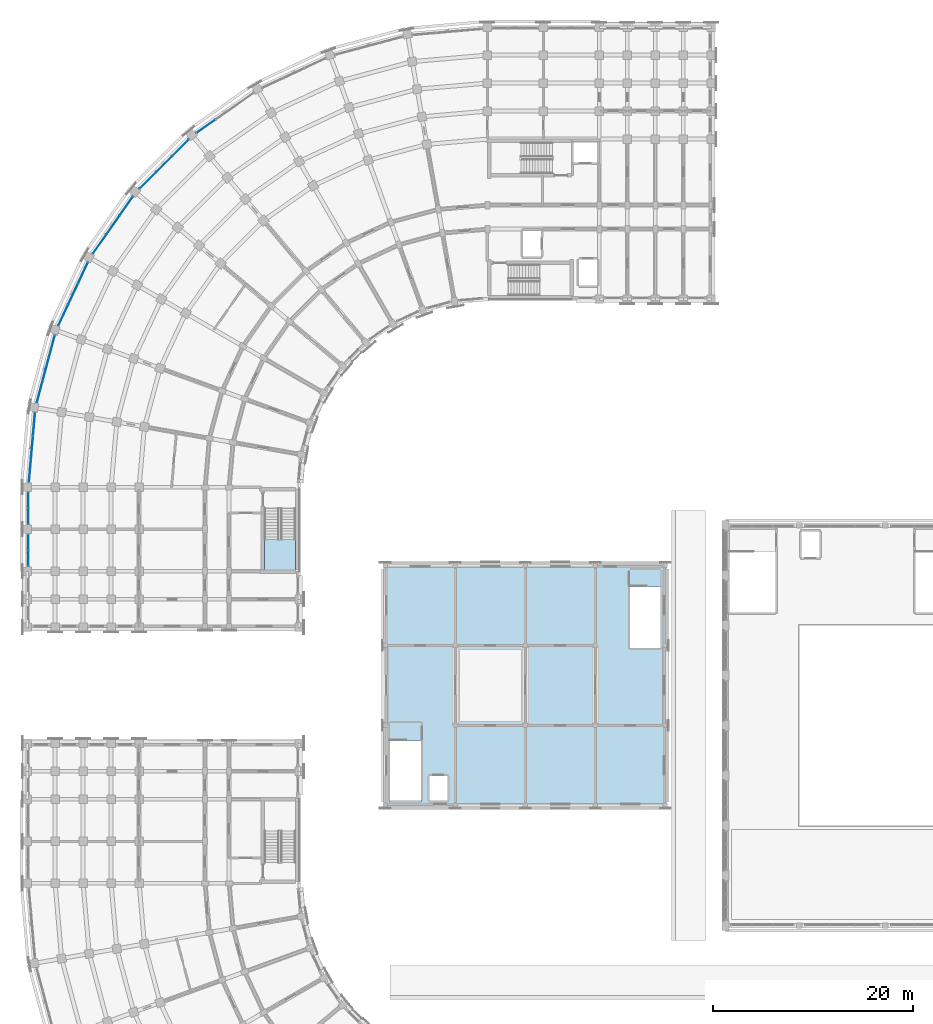
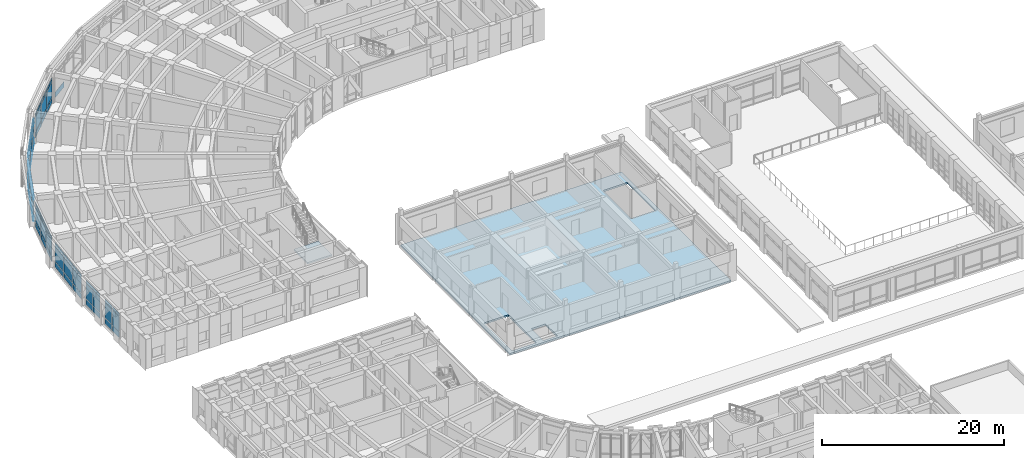
# One storey, part 47 of 97: 58 plates, 2 slabs, 9 elements without a shape of their own.
"""IFC4 building model written with IfcOpenShell, lengths in metres."""

from ifc_helpers import new_model, si_unit, direction, frame, origin, origin_2d, place, context, subcontext, project, spatial, polyline, rectangle, outline, extrude, material, layer, layer_set, type_object, element, aggregate, save


model = new_model("IFC4")

# Units and contexts
model_context = context("Model", 3, precision=1e-05, world=origin(), true_north=direction((0.0, 1.0)))
body_context = subcontext(model_context, "Body", "Model", "MODEL_VIEW")
ifc_project = project(units=[si_unit("LENGTHUNIT", "METRE"), si_unit("AREAUNIT", "SQUARE_METRE"), si_unit("VOLUMEUNIT", "CUBIC_METRE"), si_unit("PLANEANGLEUNIT", "RADIAN"), si_unit("MASSUNIT", "GRAM", prefix="KILO")], contexts=[model_context])

# Site, building, storey
site_placement = place(None, origin())
site = spatial("IfcSite", under=ifc_project, at=site_placement, CompositionType="ELEMENT")
building_placement = place(site_placement, origin())
building = spatial("IfcBuilding", under=site, at=building_placement, Name="Kiranvali Square Residences", CompositionType="ELEMENT")
storey_placement = place(building_placement, frame((0.0, 0.0, 4.5)))
storey = spatial("IfcBuildingStorey", under=building, at=storey_placement, Name="L01", CompositionType="ELEMENT", Elevation=4.5)

# Curtain wall, plates
ifc_material_1 = material(Name="Anodised bronze aluminium framing", Category="aluminium")
curtain_wall_type = type_object("IfcCurtainWallType", Name="CW-RET-SHOP", PredefinedType="USERDEFINED", material=ifc_material_1)
curtain_wall_1_placement = place(storey_placement, origin())
curtain_wall_1 = element("IfcCurtainWall", 1, at=curtain_wall_1_placement, inside=storey, type_object=curtain_wall_type, Name="Block A L01 rounded-corner arcade curtain wall 5", ObjectType="CURTAIN WALL", PredefinedType="USERDEFINED")
ifc_material_2 = material(Name="Solar-control low-e double glazing", Category="glass")
ifc_layer_1 = layer(ifc_material_2, 0.028076171875)
ifc_layer_set_1 = layer_set([ifc_layer_1], Name="Solar-control low-e double glazing")
plate_type_1 = type_object("IfcPlateType", Name="PLT-CW-GLZ", PredefinedType="CURTAIN_PANEL", material=ifc_layer_set_1)
plate_1_placement = place(storey_placement, frame((17.54296875, 121.737060546875, 0.889892578125), z_axis=(0.0, 0.0, 1.0), x_axis=(-0.707106781187, -0.707106781187, 0.0)))
plate_1 = element("IfcPlate", 2, at=plate_1_placement, type_object=plate_type_1, Name="CW-A-L01-CRV-04 glazed panel 1.2", PredefinedType="CURTAIN_PANEL", context=body_context, shape_type="SweptSolid", body=[
    extrude(rectangle(XDim=2.239501953125, YDim=0.028076171875, at=origin_2d()), origin(), (0.0, 0.0, 1.0), 2.0),
])
plate_2_placement = place(storey_placement, frame((17.54296875, 121.737060546875, 2.97021484375), z_axis=(0.0, 0.0, 1.0), x_axis=(-0.707106781187, -0.707106781187, 0.0)))
plate_2 = element("IfcPlate", 3, at=plate_2_placement, type_object=plate_type_1, Name="CW-A-L01-CRV-04 glazed panel 1.3", PredefinedType="CURTAIN_PANEL", context=body_context, shape_type="SweptSolid", body=[
    extrude(rectangle(XDim=2.239501953125, YDim=0.028076171875, at=origin_2d()), origin(), (0.0, 0.0, 1.0), 0.429931640625),
])
plate_3_placement = place(storey_placement, frame((15.90283203125, 120.09716796875, 0.889892578125), z_axis=(0.0, 0.0, 1.0), x_axis=(-0.707106781187, -0.707106781187, 0.0)))
plate_3 = element("IfcPlate", 4, at=plate_3_placement, type_object=plate_type_1, Name="CW-A-L01-CRV-04 glazed panel 2.2", PredefinedType="CURTAIN_PANEL", context=body_context, shape_type="SweptSolid", body=[
    extrude(rectangle(XDim=2.239501953125, YDim=0.028076171875, at=origin_2d()), origin(), (0.0, 0.0, 1.0), 2.0),
])
plate_4_placement = place(storey_placement, frame((15.90283203125, 120.09716796875, 2.97021484375), z_axis=(0.0, 0.0, 1.0), x_axis=(-0.707106781187, -0.707106781187, 0.0)))
plate_4 = element("IfcPlate", 5, at=plate_4_placement, type_object=plate_type_1, Name="CW-A-L01-CRV-04 glazed panel 2.3", PredefinedType="CURTAIN_PANEL", context=body_context, shape_type="SweptSolid", body=[
    extrude(rectangle(XDim=2.239501953125, YDim=0.028076171875, at=origin_2d()), origin(), (0.0, 0.0, 1.0), 0.429931640625),
])
plate_5_placement = place(storey_placement, frame((14.262939453125, 118.45703125, 0.889892578125), z_axis=(0.0, 0.0, 1.0), x_axis=(-0.707106781187, -0.707106781187, 0.0)))
plate_5 = element("IfcPlate", 6, at=plate_5_placement, type_object=plate_type_1, Name="CW-A-L01-CRV-04 glazed panel 3.2", PredefinedType="CURTAIN_PANEL", context=body_context, shape_type="SweptSolid", body=[
    extrude(rectangle(XDim=2.239501953125, YDim=0.028076171875, at=origin_2d()), origin(), (0.0, 0.0, 1.0), 2.0),
])
plate_6_placement = place(storey_placement, frame((14.262939453125, 118.45703125, 2.97021484375), z_axis=(0.0, 0.0, 1.0), x_axis=(-0.707106781187, -0.707106781187, 0.0)))
plate_6 = element("IfcPlate", 7, at=plate_6_placement, type_object=plate_type_1, Name="CW-A-L01-CRV-04 glazed panel 3.3", PredefinedType="CURTAIN_PANEL", context=body_context, shape_type="SweptSolid", body=[
    extrude(rectangle(XDim=2.239501953125, YDim=0.028076171875, at=origin_2d()), origin(), (0.0, 0.0, 1.0), 0.429931640625),
])

curtain_wall_2_placement = place(storey_placement, origin())
curtain_wall_2 = element("IfcCurtainWall", 8, at=curtain_wall_2_placement, inside=storey, type_object=curtain_wall_type, Name="Block A L01 rounded-corner arcade curtain wall 6", ObjectType="CURTAIN WALL", PredefinedType="USERDEFINED")
plate_7_placement = place(storey_placement, frame((12.11572265625, 115.89794921875, 0.889892578125), z_axis=(0.0, 0.0, 1.0), x_axis=(-0.573576436351, -0.819152044289, 0.0)))
plate_7 = element("IfcPlate", 9, at=plate_7_placement, type_object=plate_type_1, Name="CW-A-L01-CRV-05 glazed panel 1.2", PredefinedType="CURTAIN_PANEL", context=body_context, shape_type="SweptSolid", body=[
    extrude(rectangle(XDim=2.239501953125, YDim=0.028076171875, at=origin_2d()), origin(), (0.0, 0.0, 1.0), 2.0),
])
plate_8_placement = place(storey_placement, frame((12.11572265625, 115.89794921875, 2.97021484375), z_axis=(0.0, 0.0, 1.0), x_axis=(-0.573576436351, -0.819152044289, 0.0)))
plate_8 = element("IfcPlate", 10, at=plate_8_placement, type_object=plate_type_1, Name="CW-A-L01-CRV-05 glazed panel 1.3", PredefinedType="CURTAIN_PANEL", context=body_context, shape_type="SweptSolid", body=[
    extrude(rectangle(XDim=2.239501953125, YDim=0.028076171875, at=origin_2d()), origin(), (0.0, 0.0, 1.0), 0.429931640625),
])
plate_9_placement = place(storey_placement, frame((10.78515625, 113.998046875, 0.889892578125), z_axis=(0.0, 0.0, 1.0), x_axis=(-0.573576436351, -0.819152044289, 0.0)))
plate_9 = element("IfcPlate", 11, at=plate_9_placement, type_object=plate_type_1, Name="CW-A-L01-CRV-05 glazed panel 2.2", PredefinedType="CURTAIN_PANEL", context=body_context, shape_type="SweptSolid", body=[
    extrude(rectangle(XDim=2.239501953125, YDim=0.028076171875, at=origin_2d()), origin(), (0.0, 0.0, 1.0), 2.0),
])
plate_10_placement = place(storey_placement, frame((10.78515625, 113.998046875, 2.97021484375), z_axis=(0.0, 0.0, 1.0), x_axis=(-0.573576436351, -0.819152044289, 0.0)))
plate_10 = element("IfcPlate", 12, at=plate_10_placement, type_object=plate_type_1, Name="CW-A-L01-CRV-05 glazed panel 2.3", PredefinedType="CURTAIN_PANEL", context=body_context, shape_type="SweptSolid", body=[
    extrude(rectangle(XDim=2.239501953125, YDim=0.028076171875, at=origin_2d()), origin(), (0.0, 0.0, 1.0), 0.429931640625),
])
plate_11_placement = place(storey_placement, frame((9.454833984375, 112.09814453125, 0.889892578125), z_axis=(0.0, 0.0, 1.0), x_axis=(-0.573576436351, -0.819152044289, 0.0)))
plate_11 = element("IfcPlate", 13, at=plate_11_placement, type_object=plate_type_1, Name="CW-A-L01-CRV-05 glazed panel 3.2", PredefinedType="CURTAIN_PANEL", context=body_context, shape_type="SweptSolid", body=[
    extrude(rectangle(XDim=2.239501953125, YDim=0.028076171875, at=origin_2d()), origin(), (0.0, 0.0, 1.0), 2.0),
])
plate_12_placement = place(storey_placement, frame((9.454833984375, 112.09814453125, 2.97021484375), z_axis=(0.0, 0.0, 1.0), x_axis=(-0.573576436351, -0.819152044289, 0.0)))
plate_12 = element("IfcPlate", 14, at=plate_12_placement, type_object=plate_type_1, Name="CW-A-L01-CRV-05 glazed panel 3.3", PredefinedType="CURTAIN_PANEL", context=body_context, shape_type="SweptSolid", body=[
    extrude(rectangle(XDim=2.239501953125, YDim=0.028076171875, at=origin_2d()), origin(), (0.0, 0.0, 1.0), 0.429931640625),
])

curtain_wall_3_placement = place(storey_placement, origin())
curtain_wall_3 = element("IfcCurtainWall", 15, at=curtain_wall_3_placement, inside=storey, type_object=curtain_wall_type, Name="Block A L01 rounded-corner arcade curtain wall 7", ObjectType="CURTAIN WALL", PredefinedType="USERDEFINED")
plate_13_placement = place(storey_placement, frame((7.78466796875, 109.205078125, 0.889892578125), z_axis=(0.0, 0.0, 1.0), x_axis=(-0.422618261741, -0.906307787037, 0.0)))
plate_13 = element("IfcPlate", 16, at=plate_13_placement, type_object=plate_type_1, Name="CW-A-L01-CRV-06 glazed panel 1.2", PredefinedType="CURTAIN_PANEL", context=body_context, shape_type="SweptSolid", body=[
    extrude(rectangle(XDim=2.239501953125, YDim=0.028076171875, at=origin_2d()), origin(), (0.0, 0.0, 1.0), 2.0),
])
plate_14_placement = place(storey_placement, frame((7.78466796875, 109.205078125, 2.97021484375), z_axis=(0.0, 0.0, 1.0), x_axis=(-0.422618261741, -0.906307787037, 0.0)))
plate_14 = element("IfcPlate", 17, at=plate_14_placement, type_object=plate_type_1, Name="CW-A-L01-CRV-06 glazed panel 1.3", PredefinedType="CURTAIN_PANEL", context=body_context, shape_type="SweptSolid", body=[
    extrude(rectangle(XDim=2.239501953125, YDim=0.028076171875, at=origin_2d()), origin(), (0.0, 0.0, 1.0), 0.429931640625),
])
plate_15_placement = place(storey_placement, frame((6.804443359375, 107.10302734375, 0.889892578125), z_axis=(0.0, 0.0, 1.0), x_axis=(-0.422618261741, -0.906307787037, 0.0)))
plate_15 = element("IfcPlate", 18, at=plate_15_placement, type_object=plate_type_1, Name="CW-A-L01-CRV-06 glazed panel 2.2", PredefinedType="CURTAIN_PANEL", context=body_context, shape_type="SweptSolid", body=[
    extrude(rectangle(XDim=2.239501953125, YDim=0.028076171875, at=origin_2d()), origin(), (0.0, 0.0, 1.0), 2.0),
])
plate_16_placement = place(storey_placement, frame((6.804443359375, 107.10302734375, 2.97021484375), z_axis=(0.0, 0.0, 1.0), x_axis=(-0.422618261741, -0.906307787037, 0.0)))
plate_16 = element("IfcPlate", 19, at=plate_16_placement, type_object=plate_type_1, Name="CW-A-L01-CRV-06 glazed panel 2.3", PredefinedType="CURTAIN_PANEL", context=body_context, shape_type="SweptSolid", body=[
    extrude(rectangle(XDim=2.239501953125, YDim=0.028076171875, at=origin_2d()), origin(), (0.0, 0.0, 1.0), 0.429931640625),
])
plate_17_placement = place(storey_placement, frame((5.82421875, 105.0009765625, 0.889892578125), z_axis=(0.0, 0.0, 1.0), x_axis=(-0.422618261741, -0.906307787037, 0.0)))
plate_17 = element("IfcPlate", 20, at=plate_17_placement, type_object=plate_type_1, Name="CW-A-L01-CRV-06 glazed panel 3.2", PredefinedType="CURTAIN_PANEL", context=body_context, shape_type="SweptSolid", body=[
    extrude(rectangle(XDim=2.239501953125, YDim=0.028076171875, at=origin_2d()), origin(), (0.0, 0.0, 1.0), 2.0),
])
plate_18_placement = place(storey_placement, frame((5.82421875, 105.0009765625, 2.97021484375), z_axis=(0.0, 0.0, 1.0), x_axis=(-0.422618261741, -0.906307787037, 0.0)))
plate_18 = element("IfcPlate", 21, at=plate_18_placement, type_object=plate_type_1, Name="CW-A-L01-CRV-06 glazed panel 3.3", PredefinedType="CURTAIN_PANEL", context=body_context, shape_type="SweptSolid", body=[
    extrude(rectangle(XDim=2.239501953125, YDim=0.028076171875, at=origin_2d()), origin(), (0.0, 0.0, 1.0), 0.429931640625),
])

curtain_wall_4_placement = place(storey_placement, origin())
curtain_wall_4 = element("IfcCurtainWall", 22, at=curtain_wall_4_placement, inside=storey, type_object=curtain_wall_type, Name="Block A L01 rounded-corner arcade curtain wall 8", ObjectType="CURTAIN WALL", PredefinedType="USERDEFINED")
plate_19_placement = place(storey_placement, frame((4.681640625, 101.862060546875, 0.889892578125), z_axis=(0.0, 0.0, 1.0), x_axis=(-0.258819045103, -0.965925826289, 0.0)))
plate_19 = element("IfcPlate", 23, at=plate_19_placement, type_object=plate_type_1, Name="CW-A-L01-CRV-07 glazed panel 1.2", PredefinedType="CURTAIN_PANEL", context=body_context, shape_type="SweptSolid", body=[
    extrude(rectangle(XDim=2.239501953125, YDim=0.028076171875, at=origin_2d()), origin(), (0.0, 0.0, 1.0), 2.0),
])
plate_20_placement = place(storey_placement, frame((4.681640625, 101.862060546875, 2.97021484375), z_axis=(0.0, 0.0, 1.0), x_axis=(-0.258819045103, -0.965925826289, 0.0)))
plate_20 = element("IfcPlate", 24, at=plate_20_placement, type_object=plate_type_1, Name="CW-A-L01-CRV-07 glazed panel 1.3", PredefinedType="CURTAIN_PANEL", context=body_context, shape_type="SweptSolid", body=[
    extrude(rectangle(XDim=2.239501953125, YDim=0.028076171875, at=origin_2d()), origin(), (0.0, 0.0, 1.0), 0.429931640625),
])
plate_21_placement = place(storey_placement, frame((4.081298828125, 99.62158203125, 0.889892578125), z_axis=(0.0, 0.0, 1.0), x_axis=(-0.258819045103, -0.965925826289, 0.0)))
plate_21 = element("IfcPlate", 25, at=plate_21_placement, type_object=plate_type_1, Name="CW-A-L01-CRV-07 glazed panel 2.2", PredefinedType="CURTAIN_PANEL", context=body_context, shape_type="SweptSolid", body=[
    extrude(rectangle(XDim=2.239501953125, YDim=0.028076171875, at=origin_2d()), origin(), (0.0, 0.0, 1.0), 2.0),
])
plate_22_placement = place(storey_placement, frame((4.081298828125, 99.62158203125, 2.97021484375), z_axis=(0.0, 0.0, 1.0), x_axis=(-0.258819045103, -0.965925826289, 0.0)))
plate_22 = element("IfcPlate", 26, at=plate_22_placement, type_object=plate_type_1, Name="CW-A-L01-CRV-07 glazed panel 2.3", PredefinedType="CURTAIN_PANEL", context=body_context, shape_type="SweptSolid", body=[
    extrude(rectangle(XDim=2.239501953125, YDim=0.028076171875, at=origin_2d()), origin(), (0.0, 0.0, 1.0), 0.429931640625),
])
plate_23_placement = place(storey_placement, frame((3.48095703125, 97.381103515625, 0.889892578125), z_axis=(0.0, 0.0, 1.0), x_axis=(-0.258819045103, -0.965925826289, 0.0)))
plate_23 = element("IfcPlate", 27, at=plate_23_placement, type_object=plate_type_1, Name="CW-A-L01-CRV-07 glazed panel 3.2", PredefinedType="CURTAIN_PANEL", context=body_context, shape_type="SweptSolid", body=[
    extrude(rectangle(XDim=2.239501953125, YDim=0.028076171875, at=origin_2d()), origin(), (0.0, 0.0, 1.0), 2.0),
])
plate_24_placement = place(storey_placement, frame((3.48095703125, 97.381103515625, 2.97021484375), z_axis=(0.0, 0.0, 1.0), x_axis=(-0.258819045103, -0.965925826289, 0.0)))
plate_24 = element("IfcPlate", 28, at=plate_24_placement, type_object=plate_type_1, Name="CW-A-L01-CRV-07 glazed panel 3.3", PredefinedType="CURTAIN_PANEL", context=body_context, shape_type="SweptSolid", body=[
    extrude(rectangle(XDim=2.239501953125, YDim=0.028076171875, at=origin_2d()), origin(), (0.0, 0.0, 1.0), 0.429931640625),
])

curtain_wall_5_placement = place(storey_placement, origin())
curtain_wall_5 = element("IfcCurtainWall", 29, at=curtain_wall_5_placement, inside=storey, type_object=curtain_wall_type, Name="Block A L01 rounded-corner arcade curtain wall 9", ObjectType="CURTAIN WALL", PredefinedType="USERDEFINED")
plate_25_placement = place(storey_placement, frame((2.90087890625, 94.091552734375, 0.889892578125), z_axis=(0.0, 0.0, 1.0), x_axis=(-0.087155742748, -0.996194698092, 0.0)))
plate_25 = element("IfcPlate", 30, at=plate_25_placement, type_object=plate_type_1, Name="CW-A-L01-CRV-08 glazed panel 1.2", PredefinedType="CURTAIN_PANEL", context=body_context, shape_type="SweptSolid", body=[
    extrude(rectangle(XDim=2.239501953125, YDim=0.028076171875, at=origin_2d()), origin(), (0.0, 0.0, 1.0), 2.0),
])
plate_26_placement = place(storey_placement, frame((2.90087890625, 94.091552734375, 2.97021484375), z_axis=(0.0, 0.0, 1.0), x_axis=(-0.087155742748, -0.996194698092, 0.0)))
plate_26 = element("IfcPlate", 31, at=plate_26_placement, type_object=plate_type_1, Name="CW-A-L01-CRV-08 glazed panel 1.3", PredefinedType="CURTAIN_PANEL", context=body_context, shape_type="SweptSolid", body=[
    extrude(rectangle(XDim=2.239501953125, YDim=0.028076171875, at=origin_2d()), origin(), (0.0, 0.0, 1.0), 0.429931640625),
])
plate_27_placement = place(storey_placement, frame((2.69873046875, 91.78076171875, 0.889892578125), z_axis=(0.0, 0.0, 1.0), x_axis=(-0.087155742748, -0.996194698092, 0.0)))
plate_27 = element("IfcPlate", 32, at=plate_27_placement, type_object=plate_type_1, Name="CW-A-L01-CRV-08 glazed panel 2.2", PredefinedType="CURTAIN_PANEL", context=body_context, shape_type="SweptSolid", body=[
    extrude(rectangle(XDim=2.239501953125, YDim=0.028076171875, at=origin_2d()), origin(), (0.0, 0.0, 1.0), 2.0),
])
plate_28_placement = place(storey_placement, frame((2.69873046875, 91.78076171875, 2.97021484375), z_axis=(0.0, 0.0, 1.0), x_axis=(-0.087155742748, -0.996194698092, 0.0)))
plate_28 = element("IfcPlate", 33, at=plate_28_placement, type_object=plate_type_1, Name="CW-A-L01-CRV-08 glazed panel 2.3", PredefinedType="CURTAIN_PANEL", context=body_context, shape_type="SweptSolid", body=[
    extrude(rectangle(XDim=2.239501953125, YDim=0.028076171875, at=origin_2d()), origin(), (0.0, 0.0, 1.0), 0.429931640625),
])
plate_29_placement = place(storey_placement, frame((2.49658203125, 89.47021484375, 0.889892578125), z_axis=(0.0, 0.0, 1.0), x_axis=(-0.087155742748, -0.996194698092, 0.0)))
plate_29 = element("IfcPlate", 34, at=plate_29_placement, type_object=plate_type_1, Name="CW-A-L01-CRV-08 glazed panel 3.2", PredefinedType="CURTAIN_PANEL", context=body_context, shape_type="SweptSolid", body=[
    extrude(rectangle(XDim=2.239501953125, YDim=0.028076171875, at=origin_2d()), origin(), (0.0, 0.0, 1.0), 2.0),
])
plate_30_placement = place(storey_placement, frame((2.49658203125, 89.47021484375, 2.97021484375), z_axis=(0.0, 0.0, 1.0), x_axis=(-0.087155742748, -0.996194698092, 0.0)))
plate_30 = element("IfcPlate", 35, at=plate_30_placement, type_object=plate_type_1, Name="CW-A-L01-CRV-08 glazed panel 3.3", PredefinedType="CURTAIN_PANEL", context=body_context, shape_type="SweptSolid", body=[
    extrude(rectangle(XDim=2.239501953125, YDim=0.028076171875, at=origin_2d()), origin(), (0.0, 0.0, 1.0), 0.429931640625),
])

curtain_wall_6_placement = place(storey_placement, origin())
curtain_wall_6 = element("IfcCurtainWall", 36, at=curtain_wall_6_placement, inside=storey, type_object=curtain_wall_type, Name="L01 curtain wall CW-A-L01-A2-0", ObjectType="CURTAIN WALL", PredefinedType="USERDEFINED")
plate_31_placement = place(storey_placement, frame((2.320068359375, 86.485107421875, 0.889892578125), z_axis=(0.0, 0.0, 1.0), x_axis=(0.0, -1.0, 0.0)))
plate_31 = element("IfcPlate", 37, at=plate_31_placement, type_object=plate_type_1, Name="CW-A-L01-A2-0 glazed panel 1.2", PredefinedType="CURTAIN_PANEL", context=body_context, shape_type="SweptSolid", body=[
    extrude(rectangle(XDim=1.489990234375, YDim=0.028076171875, at=origin_2d()), origin(), (0.0, 0.0, 1.0), 2.0),
])
plate_32_placement = place(storey_placement, frame((2.320068359375, 86.485107421875, 2.97021484375), z_axis=(0.0, 0.0, 1.0), x_axis=(0.0, -1.0, 0.0)))
plate_32 = element("IfcPlate", 38, at=plate_32_placement, type_object=plate_type_1, Name="CW-A-L01-A2-0 glazed panel 1.3", PredefinedType="CURTAIN_PANEL", context=body_context, shape_type="SweptSolid", body=[
    extrude(rectangle(XDim=1.489990234375, YDim=0.028076171875, at=origin_2d()), origin(), (0.0, 0.0, 1.0), 0.429931640625),
])
plate_33_placement = place(storey_placement, frame((2.320068359375, 84.9150390625, 0.889892578125), z_axis=(0.0, 0.0, 1.0), x_axis=(0.0, -1.0, 0.0)))
plate_33 = element("IfcPlate", 39, at=plate_33_placement, type_object=plate_type_1, Name="CW-A-L01-A2-0 glazed panel 2.2", PredefinedType="CURTAIN_PANEL", context=body_context, shape_type="SweptSolid", body=[
    extrude(rectangle(XDim=1.489990234375, YDim=0.028076171875, at=origin_2d()), origin(), (0.0, 0.0, 1.0), 2.0),
])
plate_34_placement = place(storey_placement, frame((2.320068359375, 84.9150390625, 2.97021484375), z_axis=(0.0, 0.0, 1.0), x_axis=(0.0, -1.0, 0.0)))
plate_34 = element("IfcPlate", 40, at=plate_34_placement, type_object=plate_type_1, Name="CW-A-L01-A2-0 glazed panel 2.3", PredefinedType="CURTAIN_PANEL", context=body_context, shape_type="SweptSolid", body=[
    extrude(rectangle(XDim=1.489990234375, YDim=0.028076171875, at=origin_2d()), origin(), (0.0, 0.0, 1.0), 0.429931640625),
])

curtain_wall_7_placement = place(storey_placement, origin())
curtain_wall_7 = element("IfcCurtainWall", 41, at=curtain_wall_7_placement, inside=storey, type_object=curtain_wall_type, Name="L01 curtain wall CW-A-L01-A2-1", ObjectType="CURTAIN WALL", PredefinedType="USERDEFINED")
plate_35_placement = place(storey_placement, frame((2.320068359375, 82.284912109375, 0.889892578125), z_axis=(0.0, 0.0, 1.0), x_axis=(0.0, -1.0, 0.0)))
plate_35 = element("IfcPlate", 42, at=plate_35_placement, type_object=plate_type_1, Name="CW-A-L01-A2-1 glazed panel 1.2", PredefinedType="CURTAIN_PANEL", context=body_context, shape_type="SweptSolid", body=[
    extrude(rectangle(XDim=1.489990234375, YDim=0.028076171875, at=origin_2d()), origin(), (0.0, 0.0, 1.0), 2.0),
])
plate_36_placement = place(storey_placement, frame((2.320068359375, 82.284912109375, 2.97021484375), z_axis=(0.0, 0.0, 1.0), x_axis=(0.0, -1.0, 0.0)))
plate_36 = element("IfcPlate", 43, at=plate_36_placement, type_object=plate_type_1, Name="CW-A-L01-A2-1 glazed panel 1.3", PredefinedType="CURTAIN_PANEL", context=body_context, shape_type="SweptSolid", body=[
    extrude(rectangle(XDim=1.489990234375, YDim=0.028076171875, at=origin_2d()), origin(), (0.0, 0.0, 1.0), 0.429931640625),
])
plate_37_placement = place(storey_placement, frame((2.320068359375, 80.715087890625, 0.889892578125), z_axis=(0.0, 0.0, 1.0), x_axis=(0.0, -1.0, 0.0)))
plate_37 = element("IfcPlate", 44, at=plate_37_placement, type_object=plate_type_1, Name="CW-A-L01-A2-1 glazed panel 2.2", PredefinedType="CURTAIN_PANEL", context=body_context, shape_type="SweptSolid", body=[
    extrude(rectangle(XDim=1.489990234375, YDim=0.028076171875, at=origin_2d()), origin(), (0.0, 0.0, 1.0), 2.0),
])
plate_38_placement = place(storey_placement, frame((2.320068359375, 80.715087890625, 2.97021484375), z_axis=(0.0, 0.0, 1.0), x_axis=(0.0, -1.0, 0.0)))
plate_38 = element("IfcPlate", 45, at=plate_38_placement, type_object=plate_type_1, Name="CW-A-L01-A2-1 glazed panel 2.3", PredefinedType="CURTAIN_PANEL", context=body_context, shape_type="SweptSolid", body=[
    extrude(rectangle(XDim=1.489990234375, YDim=0.028076171875, at=origin_2d()), origin(), (0.0, 0.0, 1.0), 0.429931640625),
])

# Curtain wall, plate
curtain_wall_8_placement = place(storey_placement, origin())
curtain_wall_8 = element("IfcCurtainWall", 46, at=curtain_wall_8_placement, inside=storey, type_object=curtain_wall_type, Name="Block A L01 rounded-corner arcade curtain wall 4", ObjectType="CURTAIN WALL", PredefinedType="USERDEFINED")
ifc_material_3 = material(Name="Honed Porbandar limestone ashlar facade cladding", Category="masonry")
ifc_layer_2 = layer(ifc_material_3, 0.02392578125)
ifc_layer_set_2 = layer_set([ifc_layer_2], Name="Honed Porbandar limestone ashlar facade cladding")
plate_type_2 = type_object("IfcPlateType", Name="PLT-CW-SPN", PredefinedType="SHEET", material=ifc_layer_set_2)
plate_39_placement = place(storey_placement, frame((20.10205078125, 123.88427734375, 0.080078125), z_axis=(0.0, 0.0, 1.0), x_axis=(-0.819152044289, -0.573576436351, 0.0)))
plate_39 = element("IfcPlate", 47, at=plate_39_placement, type_object=plate_type_2, Name="CW-A-L01-CRV-03 spandrel panel 3.1", PredefinedType="SHEET", context=body_context, shape_type="SweptSolid", body=[
    extrude(rectangle(XDim=2.239501953125, YDim=0.02392578125, at=origin_2d()), origin(), (0.0, 0.0, 1.0), 0.72998046875),
])
aggregate(curtain_wall_8, [plate_39])

# Plate
plate_40_placement = place(storey_placement, frame((17.54296875, 121.737060546875, 0.080078125), z_axis=(0.0, 0.0, 1.0), x_axis=(-0.707106781187, -0.707106781187, 0.0)))
plate_40 = element("IfcPlate", 48, at=plate_40_placement, type_object=plate_type_2, Name="CW-A-L01-CRV-04 spandrel panel 1.1", PredefinedType="SHEET", context=body_context, shape_type="SweptSolid", body=[
    extrude(rectangle(XDim=2.239501953125, YDim=0.02392578125, at=origin_2d()), origin(), (0.0, 0.0, 1.0), 0.72998046875),
])

plate_41_placement = place(storey_placement, frame((15.90283203125, 120.09716796875, 0.080078125), z_axis=(0.0, 0.0, 1.0), x_axis=(-0.707106781187, -0.707106781187, 0.0)))
plate_41 = element("IfcPlate", 49, at=plate_41_placement, type_object=plate_type_2, Name="CW-A-L01-CRV-04 spandrel panel 2.1", PredefinedType="SHEET", context=body_context, shape_type="SweptSolid", body=[
    extrude(rectangle(XDim=2.239501953125, YDim=0.02392578125, at=origin_2d()), origin(), (0.0, 0.0, 1.0), 0.72998046875),
])

plate_42_placement = place(storey_placement, frame((14.262939453125, 118.45703125, 0.080078125), z_axis=(0.0, 0.0, 1.0), x_axis=(-0.707106781187, -0.707106781187, 0.0)))
plate_42 = element("IfcPlate", 50, at=plate_42_placement, type_object=plate_type_2, Name="CW-A-L01-CRV-04 spandrel panel 3.1", PredefinedType="SHEET", context=body_context, shape_type="SweptSolid", body=[
    extrude(rectangle(XDim=2.239501953125, YDim=0.02392578125, at=origin_2d()), origin(), (0.0, 0.0, 1.0), 0.72998046875),
])

aggregate(curtain_wall_1, [plate_40, plate_1, plate_2, plate_41, plate_3, plate_4, plate_42, plate_5, plate_6])

plate_43_placement = place(storey_placement, frame((12.11572265625, 115.89794921875, 0.080078125), z_axis=(0.0, 0.0, 1.0), x_axis=(-0.573576436351, -0.819152044289, 0.0)))
plate_43 = element("IfcPlate", 51, at=plate_43_placement, type_object=plate_type_2, Name="CW-A-L01-CRV-05 spandrel panel 1.1", PredefinedType="SHEET", context=body_context, shape_type="SweptSolid", body=[
    extrude(rectangle(XDim=2.239501953125, YDim=0.02392578125, at=origin_2d()), origin(), (0.0, 0.0, 1.0), 0.72998046875),
])

plate_44_placement = place(storey_placement, frame((10.78515625, 113.998046875, 0.080078125), z_axis=(0.0, 0.0, 1.0), x_axis=(-0.573576436351, -0.819152044289, 0.0)))
plate_44 = element("IfcPlate", 52, at=plate_44_placement, type_object=plate_type_2, Name="CW-A-L01-CRV-05 spandrel panel 2.1", PredefinedType="SHEET", context=body_context, shape_type="SweptSolid", body=[
    extrude(rectangle(XDim=2.239501953125, YDim=0.02392578125, at=origin_2d()), origin(), (0.0, 0.0, 1.0), 0.72998046875),
])

plate_45_placement = place(storey_placement, frame((9.454833984375, 112.09814453125, 0.080078125), z_axis=(0.0, 0.0, 1.0), x_axis=(-0.573576436351, -0.819152044289, 0.0)))
plate_45 = element("IfcPlate", 53, at=plate_45_placement, type_object=plate_type_2, Name="CW-A-L01-CRV-05 spandrel panel 3.1", PredefinedType="SHEET", context=body_context, shape_type="SweptSolid", body=[
    extrude(rectangle(XDim=2.239501953125, YDim=0.02392578125, at=origin_2d()), origin(), (0.0, 0.0, 1.0), 0.72998046875),
])

aggregate(curtain_wall_2, [plate_43, plate_7, plate_8, plate_44, plate_9, plate_10, plate_45, plate_11, plate_12])

plate_46_placement = place(storey_placement, frame((7.78466796875, 109.205078125, 0.080078125), z_axis=(0.0, 0.0, 1.0), x_axis=(-0.422618261741, -0.906307787037, 0.0)))
plate_46 = element("IfcPlate", 54, at=plate_46_placement, type_object=plate_type_2, Name="CW-A-L01-CRV-06 spandrel panel 1.1", PredefinedType="SHEET", context=body_context, shape_type="SweptSolid", body=[
    extrude(rectangle(XDim=2.239501953125, YDim=0.02392578125, at=origin_2d()), origin(), (0.0, 0.0, 1.0), 0.72998046875),
])

plate_47_placement = place(storey_placement, frame((6.804443359375, 107.10302734375, 0.080078125), z_axis=(0.0, 0.0, 1.0), x_axis=(-0.422618261741, -0.906307787037, 0.0)))
plate_47 = element("IfcPlate", 55, at=plate_47_placement, type_object=plate_type_2, Name="CW-A-L01-CRV-06 spandrel panel 2.1", PredefinedType="SHEET", context=body_context, shape_type="SweptSolid", body=[
    extrude(rectangle(XDim=2.239501953125, YDim=0.02392578125, at=origin_2d()), origin(), (0.0, 0.0, 1.0), 0.72998046875),
])

plate_48_placement = place(storey_placement, frame((5.82421875, 105.0009765625, 0.080078125), z_axis=(0.0, 0.0, 1.0), x_axis=(-0.422618261741, -0.906307787037, 0.0)))
plate_48 = element("IfcPlate", 56, at=plate_48_placement, type_object=plate_type_2, Name="CW-A-L01-CRV-06 spandrel panel 3.1", PredefinedType="SHEET", context=body_context, shape_type="SweptSolid", body=[
    extrude(rectangle(XDim=2.239501953125, YDim=0.02392578125, at=origin_2d()), origin(), (0.0, 0.0, 1.0), 0.72998046875),
])

aggregate(curtain_wall_3, [plate_46, plate_13, plate_14, plate_47, plate_15, plate_16, plate_48, plate_17, plate_18])

plate_49_placement = place(storey_placement, frame((4.681640625, 101.862060546875, 0.080078125), z_axis=(0.0, 0.0, 1.0), x_axis=(-0.258819045103, -0.965925826289, 0.0)))
plate_49 = element("IfcPlate", 57, at=plate_49_placement, type_object=plate_type_2, Name="CW-A-L01-CRV-07 spandrel panel 1.1", PredefinedType="SHEET", context=body_context, shape_type="SweptSolid", body=[
    extrude(rectangle(XDim=2.239501953125, YDim=0.02392578125, at=origin_2d()), origin(), (0.0, 0.0, 1.0), 0.72998046875),
])

plate_50_placement = place(storey_placement, frame((4.081298828125, 99.62158203125, 0.080078125), z_axis=(0.0, 0.0, 1.0), x_axis=(-0.258819045103, -0.965925826289, 0.0)))
plate_50 = element("IfcPlate", 58, at=plate_50_placement, type_object=plate_type_2, Name="CW-A-L01-CRV-07 spandrel panel 2.1", PredefinedType="SHEET", context=body_context, shape_type="SweptSolid", body=[
    extrude(rectangle(XDim=2.239501953125, YDim=0.02392578125, at=origin_2d()), origin(), (0.0, 0.0, 1.0), 0.72998046875),
])

plate_51_placement = place(storey_placement, frame((3.48095703125, 97.381103515625, 0.080078125), z_axis=(0.0, 0.0, 1.0), x_axis=(-0.258819045103, -0.965925826289, 0.0)))
plate_51 = element("IfcPlate", 59, at=plate_51_placement, type_object=plate_type_2, Name="CW-A-L01-CRV-07 spandrel panel 3.1", PredefinedType="SHEET", context=body_context, shape_type="SweptSolid", body=[
    extrude(rectangle(XDim=2.239501953125, YDim=0.02392578125, at=origin_2d()), origin(), (0.0, 0.0, 1.0), 0.72998046875),
])

aggregate(curtain_wall_4, [plate_49, plate_19, plate_20, plate_50, plate_21, plate_22, plate_51, plate_23, plate_24])

plate_52_placement = place(storey_placement, frame((2.90087890625, 94.091552734375, 0.080078125), z_axis=(0.0, 0.0, 1.0), x_axis=(-0.087155742748, -0.996194698092, 0.0)))
plate_52 = element("IfcPlate", 60, at=plate_52_placement, type_object=plate_type_2, Name="CW-A-L01-CRV-08 spandrel panel 1.1", PredefinedType="SHEET", context=body_context, shape_type="SweptSolid", body=[
    extrude(rectangle(XDim=2.239501953125, YDim=0.02392578125, at=origin_2d()), origin(), (0.0, 0.0, 1.0), 0.72998046875),
])

plate_53_placement = place(storey_placement, frame((2.69873046875, 91.78076171875, 0.080078125), z_axis=(0.0, 0.0, 1.0), x_axis=(-0.087155742748, -0.996194698092, 0.0)))
plate_53 = element("IfcPlate", 61, at=plate_53_placement, type_object=plate_type_2, Name="CW-A-L01-CRV-08 spandrel panel 2.1", PredefinedType="SHEET", context=body_context, shape_type="SweptSolid", body=[
    extrude(rectangle(XDim=2.239501953125, YDim=0.02392578125, at=origin_2d()), origin(), (0.0, 0.0, 1.0), 0.72998046875),
])

plate_54_placement = place(storey_placement, frame((2.49658203125, 89.47021484375, 0.080078125), z_axis=(0.0, 0.0, 1.0), x_axis=(-0.087155742748, -0.996194698092, 0.0)))
plate_54 = element("IfcPlate", 62, at=plate_54_placement, type_object=plate_type_2, Name="CW-A-L01-CRV-08 spandrel panel 3.1", PredefinedType="SHEET", context=body_context, shape_type="SweptSolid", body=[
    extrude(rectangle(XDim=2.239501953125, YDim=0.02392578125, at=origin_2d()), origin(), (0.0, 0.0, 1.0), 0.72998046875),
])

aggregate(curtain_wall_5, [plate_52, plate_25, plate_26, plate_53, plate_27, plate_28, plate_54, plate_29, plate_30])

plate_55_placement = place(storey_placement, frame((2.320068359375, 86.485107421875, 0.080078125), z_axis=(0.0, 0.0, 1.0), x_axis=(0.0, -1.0, 0.0)))
plate_55 = element("IfcPlate", 63, at=plate_55_placement, type_object=plate_type_2, Name="CW-A-L01-A2-0 spandrel panel 1.1", PredefinedType="SHEET", context=body_context, shape_type="SweptSolid", body=[
    extrude(rectangle(XDim=1.489990234375, YDim=0.02392578125, at=origin_2d()), origin(), (0.0, 0.0, 1.0), 0.72998046875),
])

plate_56_placement = place(storey_placement, frame((2.320068359375, 84.9150390625, 0.080078125), z_axis=(0.0, 0.0, 1.0), x_axis=(0.0, -1.0, 0.0)))
plate_56 = element("IfcPlate", 64, at=plate_56_placement, type_object=plate_type_2, Name="CW-A-L01-A2-0 spandrel panel 2.1", PredefinedType="SHEET", context=body_context, shape_type="SweptSolid", body=[
    extrude(rectangle(XDim=1.489990234375, YDim=0.02392578125, at=origin_2d()), origin(), (0.0, 0.0, 1.0), 0.72998046875),
])

aggregate(curtain_wall_6, [plate_55, plate_31, plate_32, plate_56, plate_33, plate_34])

plate_57_placement = place(storey_placement, frame((2.320068359375, 82.284912109375, 0.080078125), z_axis=(0.0, 0.0, 1.0), x_axis=(0.0, -1.0, 0.0)))
plate_57 = element("IfcPlate", 65, at=plate_57_placement, type_object=plate_type_2, Name="CW-A-L01-A2-1 spandrel panel 1.1", PredefinedType="SHEET", context=body_context, shape_type="SweptSolid", body=[
    extrude(rectangle(XDim=1.489990234375, YDim=0.02392578125, at=origin_2d()), origin(), (0.0, 0.0, 1.0), 0.72998046875),
])

plate_58_placement = place(storey_placement, frame((2.320068359375, 80.715087890625, 0.080078125), z_axis=(0.0, 0.0, 1.0), x_axis=(0.0, -1.0, 0.0)))
plate_58 = element("IfcPlate", 66, at=plate_58_placement, type_object=plate_type_2, Name="CW-A-L01-A2-1 spandrel panel 2.1", PredefinedType="SHEET", context=body_context, shape_type="SweptSolid", body=[
    extrude(rectangle(XDim=1.489990234375, YDim=0.02392578125, at=origin_2d()), origin(), (0.0, 0.0, 1.0), 0.72998046875),
])

aggregate(curtain_wall_7, [plate_57, plate_35, plate_36, plate_58, plate_37, plate_38])

# Slab
ifc_material_4 = material(Name="Concrete M35 (35 MPa)", Category="concrete")
ifc_layer_3 = layer(ifc_material_4, 0.219970703125)
ifc_layer_set_3 = layer_set([ifc_layer_3], Name="Concrete M35 (35 MPa)")
slab_type_1 = type_object("IfcSlabType", Name="SLB-FLR-220", PredefinedType="FLOOR", material=ifc_layer_set_3)
slab_1_placement = place(storey_placement, frame((0.0, 0.0, -0.219970703125)))
element("IfcSlab", 67, at=slab_1_placement, inside=storey, type_object=slab_type_1, Name="Nursery Pavilion L01 floor slab", PredefinedType="FLOOR", context=body_context, shape_type="SweptSolid", body=[
    extrude(outline(polyline([(38.0, 56.0), (66.0, 56.0), (66.0, 80.0), (38.0, 80.0), (38.0, 56.0)]), holes=[polyline([(42.39990234375, 56.35009765625), (44.199951171875, 56.35009765625), (44.199951171875, 58.949951171875), (42.39990234375, 58.949951171875), (42.39990234375, 56.35009765625)]), polyline([(38.449951171875, 62.5), (38.449951171875, 56.35009765625), (41.550048828125, 56.35009765625), (41.550048828125, 62.5), (38.449951171875, 62.5)]), polyline([(62.449951171875, 77.89990234375), (62.449951171875, 71.75), (65.550048828125, 71.75), (65.550048828125, 77.89990234375), (62.449951171875, 77.89990234375)])]), origin(), (0.0, 0.0, 1.0), 0.219970703125),
])

# Stair, slab
stair_type = type_object("IfcStairType", Name="ST-CORE-1700", PredefinedType="HALF_TURN_STAIR", material=ifc_material_4)
stair_placement = place(storey_placement, origin())
stair = element("IfcStair", 68, at=stair_placement, inside=storey, type_object=stair_type, Name="L01 Block A Wing Protected Exit Stair 3", PredefinedType="HALF_TURN_STAIR")
ifc_layer_4 = layer(ifc_material_4, 0.199951171875)
ifc_layer_set_4 = layer_set([ifc_layer_4], Name="Concrete M35 (35 MPa)")
slab_type_2 = type_object("IfcSlabType", Name="SLB-LND-200", PredefinedType="LANDING", material=ifc_layer_set_4)
slab_2_placement = place(storey_placement, frame((0.0, 0.0, 1.89990234375)))
slab_2 = element("IfcSlab", 69, at=slab_2_placement, type_object=slab_type_2, Name="ST-A3 landing 1", PredefinedType="LANDING", context=body_context, shape_type="SweptSolid", body=[
    extrude(outline(polyline([(25.949951171875, 82.56494140625), (25.949951171875, 79.550048828125), (29.050048828125, 79.550048828125), (29.050048828125, 82.56494140625), (25.949951171875, 82.56494140625)])), origin(), (0.0, 0.0, 1.0), 0.2001953125),
])
aggregate(stair, [slab_2])

save(model, "model.ifc")
